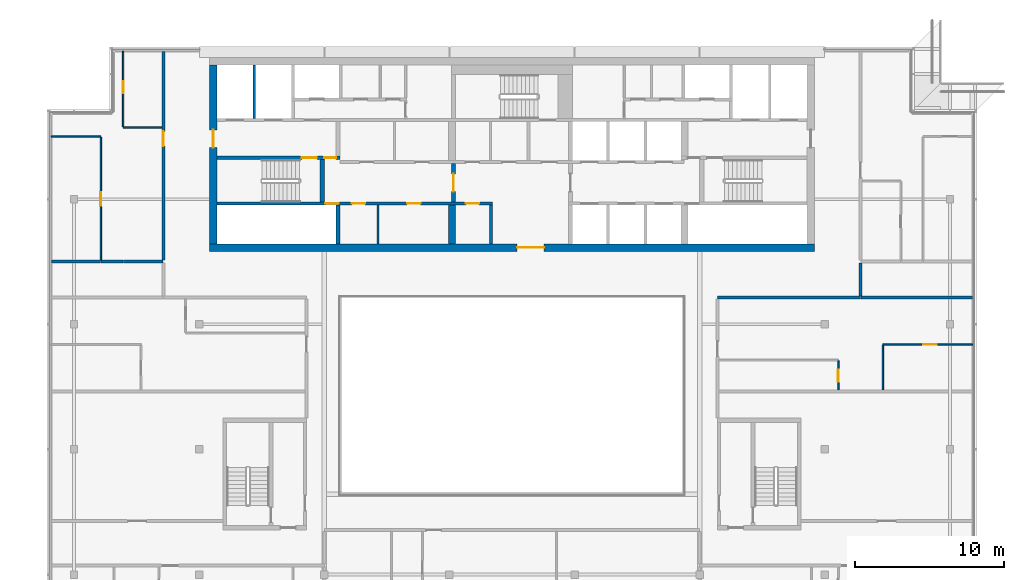
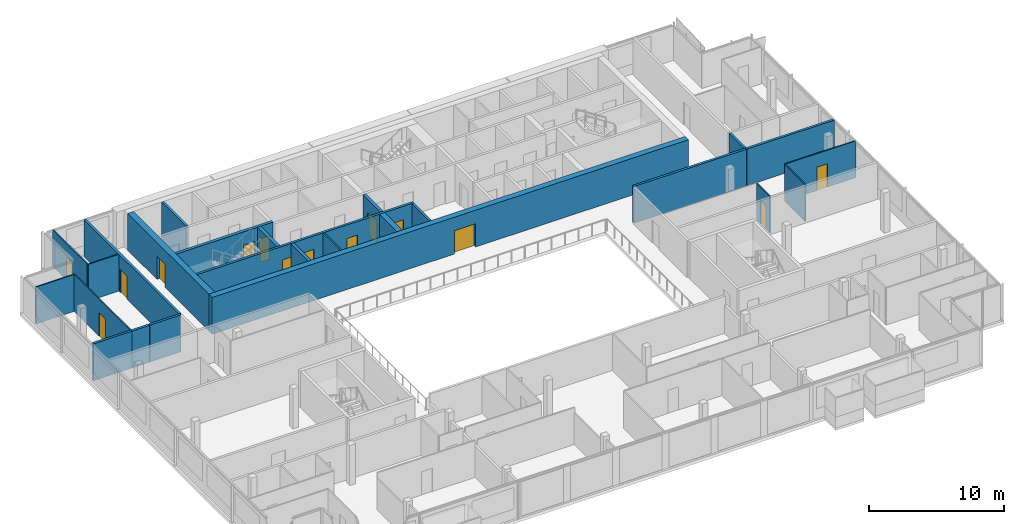
# One storey, part 18 of 24: 25 walls, 14 doors, 14 openings.
"""IFC4 building model written with IfcOpenShell, lengths in metres."""

from ifc_helpers import new_model, si_unit, direction, frame, frame_2d, origin, place, context, subcontext, project, spatial, rectangle, extrude, material, layer, layer_set, type_object, element, fill, save


model = new_model("IFC4")

# Units and contexts
model_context = context("Model", 3, precision=1e-05, world=origin(), true_north=direction((0.0, 1.0)))
body_context = subcontext(model_context, "Body", "Model", "MODEL_VIEW")
ifc_project = project(units=[si_unit("LENGTHUNIT", "METRE"), si_unit("AREAUNIT", "SQUARE_METRE"), si_unit("VOLUMEUNIT", "CUBIC_METRE"), si_unit("PLANEANGLEUNIT", "RADIAN"), si_unit("MASSUNIT", "GRAM", prefix="KILO")], contexts=[model_context])

# Site, building, storey
site_placement = place(None, origin())
site = spatial("IfcSite", under=ifc_project, at=site_placement, CompositionType="ELEMENT")
building_placement = place(site_placement, origin())
building = spatial("IfcBuilding", under=site, at=building_placement, Name="Saffron Gate Tower", CompositionType="ELEMENT")
storey_placement = place(building_placement, frame((0.0, 0.0, 281.550048828125)))
storey = spatial("IfcBuildingStorey", under=building, at=storey_placement, Name="L68", CompositionType="ELEMENT", Elevation=281.550048828125)

# Wall
ifc_material_1 = material(Name="Gypsum board partition on steel studs", Category="steel")
ifc_layer_1 = layer(ifc_material_1, 0.199951171875)
ifc_layer_set_1 = layer_set([ifc_layer_1], Name="CW10 Core partition 200")
wall_type_1 = type_object("IfcWallType", Name="CW10 Core partition 200", PredefinedType="PARTITIONING", material=ifc_layer_set_1)
wall_1_placement = place(storey_placement, frame((86.199951171875, 62.39990234375, 0.0), z_axis=(0.0, 0.0, 1.0), x_axis=(0.0, 1.0, 0.0)))
element("IfcWall", 1, at=wall_1_placement, inside=storey, type_object=wall_type_1, Name="Wall CW10-L68-8", PredefinedType="PARTITIONING", context=body_context, shape_type="SweptSolid", body=[
    extrude(rectangle(XDim=2.60009765625, YDim=0.199951171875, at=frame_2d((1.300048828125, 0.0))), origin(), (0.0, 0.0, 1.0), 3.320068359375),
])

# Wall, opening, door
ifc_material_2 = material(Name="Concrete C50", Category="concrete")
ifc_layer_2 = layer(ifc_material_2, 0.5)
ifc_layer_set_2 = layer_set([ifc_layer_2], Name="CW22 RC core wall 500 C50")
wall_type_2 = type_object("IfcWallType", Name="CW22 RC core wall 500 C50", PredefinedType="SOLIDWALL", material=ifc_layer_set_2)
wall_2_placement = place(storey_placement, frame((67.300048828125, 62.14990234375, 0.0), z_axis=(0.0, 0.0, 1.0), x_axis=(1.0, 0.0, 0.0)))
wall_2 = element("IfcWall", 2, at=wall_2_placement, inside=storey, type_object=wall_type_2, Name="Wall CW22-L68-1", PredefinedType="SOLIDWALL", context=body_context, shape_type="SweptSolid", body=[
    extrude(rectangle(XDim=40.599853515625, YDim=0.5, at=frame_2d((20.2998046875, 0.0))), origin(), (0.0, 0.0, 1.0), 3.320068359375),
])
opening_1_placement = place(wall_2_placement, frame((20.64990234375, 0.0, 0.0)))
opening_1 = element("IfcOpeningElement", 3, at=opening_1_placement, cuts=wall_2, Name="Opening CR-09", PredefinedType="OPENING", context=body_context, shape_type="SweptSolid", body=[
    extrude(rectangle(XDim=1.800048828125, YDim=2.10009765625, at=frame_2d((0.89990234375, 1.050048828125))), frame((0.0, 0.260009765625, 0.0), z_axis=(0.0, -1.0, 0.0), x_axis=(1.0, 0.0, 0.0)), (0.0, 0.0, 1.0), 0.52001953125),
])
ifc_material_3 = material(Name="Steel fire door set", Category="steel")
door_type_1 = type_object("IfcDoorType", Name="CD1 Core entrance door 1800x2100 EI 120", OperationType="NOTDEFINED", PredefinedType="DOOR", material=ifc_material_3)
door_1_placement = place(opening_1_placement, origin())
door_1 = element("IfcDoor", 4, at=door_1_placement, inside=storey, type_object=door_type_1, Name="DOOR CR-09", OperationType="DOUBLE_DOOR_SINGLE_SWING", OverallHeight=2.10009765625, OverallWidth=1.800048828125, PredefinedType="DOOR", context=body_context, shape_type="SweptSolid", body=[
    extrude(rectangle(XDim=1.800048828125, YDim=2.10009765625, at=frame_2d((0.89990234375, 1.050048828125))), frame((0.0, 0.02490234375, 0.0), z_axis=(0.0, -1.0, 0.0), x_axis=(1.0, 0.0, 0.0)), (0.0, 0.0, 1.0), 0.050048828125),
])
fill(opening_1, door_1)

wall_3_placement = place(storey_placement, frame((67.550048828125, 62.39990234375, 0.0), z_axis=(0.0, 0.0, 1.0), x_axis=(0.0, 1.0, 0.0)))
wall_3 = element("IfcWall", 5, at=wall_3_placement, inside=storey, type_object=wall_type_2, Name="Wall CW22-L68-3", PredefinedType="SOLIDWALL", context=body_context, shape_type="SweptSolid", body=[
    extrude(rectangle(XDim=12.0, YDim=0.5, at=frame_2d((6.0, 0.0))), origin(), (0.0, 0.0, 1.0), 3.320068359375),
])
opening_2_placement = place(wall_3_placement, frame((6.449951171875, 0.0, 0.0)))
opening_2 = element("IfcOpeningElement", 6, at=opening_2_placement, cuts=wall_3, Name="Opening CR-10", PredefinedType="OPENING", context=body_context, shape_type="SweptSolid", body=[
    extrude(rectangle(XDim=1.199951171875, YDim=2.10009765625, at=frame_2d((0.60009765625, 1.050048828125))), frame((0.0, 0.260009765625, 0.0), z_axis=(0.0, -1.0, 0.0), x_axis=(1.0, 0.0, 0.0)), (0.0, 0.0, 1.0), 0.52001953125),
])
door_type_2 = type_object("IfcDoorType", Name="CD7 Core entrance door 1200x2100 EI 120", OperationType="NOTDEFINED", PredefinedType="DOOR", material=ifc_material_3)
door_2_placement = place(opening_2_placement, origin())
door_2 = element("IfcDoor", 7, at=door_2_placement, inside=storey, type_object=door_type_2, Name="DOOR CR-10", OperationType="SINGLE_SWING_LEFT", OverallHeight=2.10009765625, OverallWidth=1.199951171875, PredefinedType="DOOR", context=body_context, shape_type="SweptSolid", body=[
    extrude(rectangle(XDim=1.199951171875, YDim=2.10009765625, at=frame_2d((0.60009765625, 1.050048828125))), frame((0.0, 0.02490234375, 0.0), z_axis=(0.0, -1.0, 0.0), x_axis=(1.0, 0.0, 0.0)), (0.0, 0.0, 1.0), 0.050048828125),
])
fill(opening_2, door_2)

# Wall
ifc_layer_3 = layer(ifc_material_2, 0.25)
ifc_layer_set_3 = layer_set([ifc_layer_3], Name="CW23 RC core wall 250 C50")
wall_type_3 = type_object("IfcWallType", Name="CW23 RC core wall 250 C50", PredefinedType="SOLIDWALL", material=ifc_layer_set_3)
wall_4_placement = place(storey_placement, frame((75.925048828125, 62.39990234375, 0.0), z_axis=(0.0, 0.0, 1.0), x_axis=(0.0, 1.0, 0.0)))
element("IfcWall", 8, at=wall_4_placement, inside=storey, type_object=wall_type_3, Name="Wall CW23-L68-5", PredefinedType="SOLIDWALL", context=body_context, shape_type="SweptSolid", body=[
    extrude(rectangle(XDim=2.60009765625, YDim=0.25, at=frame_2d((1.300048828125, 0.0))), origin(), (0.0, 0.0, 1.0), 3.320068359375),
])

# Wall, opening, door
wall_5_placement = place(storey_placement, frame((83.675048828125, 65.199951171875, 0.0), z_axis=(0.0, 0.0, 1.0), x_axis=(0.0, 1.0, 0.0)))
wall_5 = element("IfcWall", 9, at=wall_5_placement, inside=storey, type_object=wall_type_3, Name="Wall CW23-L68-16", PredefinedType="SOLIDWALL", context=body_context, shape_type="SweptSolid", body=[
    extrude(rectangle(XDim=2.60009765625, YDim=0.25, at=frame_2d((1.300048828125, 0.0))), origin(), (0.0, 0.0, 1.0), 3.320068359375),
])
opening_3_placement = place(wall_5_placement, frame((0.699951171875, 0.0, 0.0)))
opening_3 = element("IfcOpeningElement", 10, at=opening_3_placement, cuts=wall_5, Name="Opening CR-07", PredefinedType="OPENING", context=body_context, shape_type="SweptSolid", body=[
    extrude(rectangle(XDim=1.199951171875, YDim=2.10009765625, at=frame_2d((0.60009765625, 1.050048828125))), frame((0.0, 0.135009765625, 0.0), z_axis=(0.0, -1.0, 0.0), x_axis=(1.0, 0.0, 0.0)), (0.0, 0.0, 1.0), 0.27001953125),
])
door_type_3 = type_object("IfcDoorType", Name="CD3 Lobby door 1200x2100 EI 120", OperationType="NOTDEFINED", PredefinedType="DOOR", material=ifc_material_3)
door_3_placement = place(opening_3_placement, origin())
door_3 = element("IfcDoor", 11, at=door_3_placement, inside=storey, type_object=door_type_3, Name="DOOR CR-07", OperationType="SINGLE_SWING_RIGHT", OverallHeight=2.10009765625, OverallWidth=1.199951171875, PredefinedType="DOOR", context=body_context, shape_type="SweptSolid", body=[
    extrude(rectangle(XDim=1.199951171875, YDim=2.10009765625, at=frame_2d((0.60009765625, 1.050048828125))), frame((0.0, 0.02490234375, 0.0), z_axis=(0.0, -1.0, 0.0), x_axis=(1.0, 0.0, 0.0)), (0.0, 0.0, 1.0), 0.050048828125),
])
fill(opening_3, door_3)

# Wall, openings, doors
wall_6_placement = place(storey_placement, frame((67.800048828125, 68.175048828125, 0.0), z_axis=(0.0, 0.0, 1.0), x_axis=(1.0, 0.0, 0.0)))
wall_6 = element("IfcWall", 12, at=wall_6_placement, inside=storey, type_object=wall_type_3, Name="Wall CW23-L68-28", PredefinedType="SOLIDWALL", context=body_context, shape_type="SweptSolid", body=[
    extrude(rectangle(XDim=8.25, YDim=0.25, at=frame_2d((4.125, 0.0))), origin(), (0.0, 0.0, 1.0), 3.320068359375),
])
opening_4_placement = place(wall_6_placement, frame((5.699951171875, 0.0, 0.0)))
opening_4 = element("IfcOpeningElement", 13, at=opening_4_placement, cuts=wall_6, Name="Opening CR-15", PredefinedType="OPENING", context=body_context, shape_type="SweptSolid", body=[
    extrude(rectangle(XDim=1.0, YDim=2.10009765625, at=frame_2d((0.5, 1.050048828125))), frame((0.0, 0.135009765625, 0.0), z_axis=(0.0, -1.0, 0.0), x_axis=(1.0, 0.0, 0.0)), (0.0, 0.0, 1.0), 0.27001953125),
])
opening_5_placement = place(wall_6_placement, frame((7.199951171875, 0.0, 0.0)))
opening_5 = element("IfcOpeningElement", 14, at=opening_5_placement, cuts=wall_6, Name="Opening CR-06", PredefinedType="OPENING", context=body_context, shape_type="SweptSolid", body=[
    extrude(rectangle(XDim=0.800048828125, YDim=2.10009765625, at=frame_2d((0.39990234375, 1.050048828125))), frame((0.0, 0.135009765625, 0.0), z_axis=(0.0, -1.0, 0.0), x_axis=(1.0, 0.0, 0.0)), (0.0, 0.0, 1.0), 0.27001953125),
])
door_type_4 = type_object("IfcDoorType", Name="CD5 Stair door 1000x2100 EI 120", OperationType="NOTDEFINED", PredefinedType="DOOR", material=ifc_material_3)
door_4_placement = place(opening_4_placement, origin())
door_4 = element("IfcDoor", 15, at=door_4_placement, inside=storey, type_object=door_type_4, Name="DOOR CR-15", OperationType="SINGLE_SWING_RIGHT", OverallHeight=2.10009765625, OverallWidth=1.0, PredefinedType="DOOR", context=body_context, shape_type="SweptSolid", body=[
    extrude(rectangle(XDim=1.0, YDim=2.10009765625, at=frame_2d((0.5, 1.050048828125))), frame((0.0, 0.02490234375, 0.0), z_axis=(0.0, -1.0, 0.0), x_axis=(1.0, 0.0, 0.0)), (0.0, 0.0, 1.0), 0.050048828125),
])
fill(opening_4, door_4)
door_type_5 = type_object("IfcDoorType", Name="CD6 Lobby door 800x2100 EI 120", OperationType="NOTDEFINED", PredefinedType="DOOR", material=ifc_material_3)
door_5_placement = place(opening_5_placement, origin())
door_5 = element("IfcDoor", 16, at=door_5_placement, inside=storey, type_object=door_type_5, Name="DOOR CR-06", OperationType="SINGLE_SWING_LEFT", OverallHeight=2.10009765625, OverallWidth=0.800048828125, PredefinedType="DOOR", context=body_context, shape_type="SweptSolid", body=[
    extrude(rectangle(XDim=0.800048828125, YDim=2.10009765625, at=frame_2d((0.39990234375, 1.050048828125))), frame((0.0, 0.02490234375, 0.0), z_axis=(0.0, -1.0, 0.0), x_axis=(1.0, 0.0, 0.0)), (0.0, 0.0, 1.0), 0.050048828125),
])
fill(opening_5, door_5)

# Wall
ifc_layer_4 = layer(ifc_material_2, 0.449951171875)
ifc_layer_set_4 = layer_set([ifc_layer_4], Name="CW24 RC core wall 450 C50")
wall_type_4 = type_object("IfcWallType", Name="CW24 RC core wall 450 C50", PredefinedType="SOLIDWALL", material=ifc_layer_set_4)
wall_7_placement = place(storey_placement, frame((83.574951171875, 62.39990234375, 0.0), z_axis=(0.0, 0.0, 1.0), x_axis=(0.0, 1.0, 0.0)))
element("IfcWall", 17, at=wall_7_placement, inside=storey, type_object=wall_type_4, Name="Wall CW24-L68-7", PredefinedType="SOLIDWALL", context=body_context, shape_type="SweptSolid", body=[
    extrude(rectangle(XDim=2.60009765625, YDim=0.449951171875, at=frame_2d((1.300048828125, 0.0))), origin(), (0.0, 0.0, 1.0), 3.320068359375),
])

# Wall, openings, doors
ifc_layer_5 = layer(ifc_material_2, 0.199951171875)
ifc_layer_set_5 = layer_set([ifc_layer_5], Name="CW25 RC core wall 200 C50")
wall_type_5 = type_object("IfcWallType", Name="CW25 RC core wall 200 C50", PredefinedType="SOLIDWALL", material=ifc_layer_set_5)
wall_8_placement = place(storey_placement, frame((67.800048828125, 65.10009765625, 0.0), z_axis=(0.0, 0.0, 1.0), x_axis=(1.0, 0.0, 0.0)))
wall_8 = element("IfcWall", 18, at=wall_8_placement, inside=storey, type_object=wall_type_5, Name="Wall CW25-L68-13", PredefinedType="SOLIDWALL", context=body_context, shape_type="SweptSolid", body=[
    extrude(rectangle(XDim=18.5, YDim=0.199951171875, at=frame_2d((9.25, 0.0))), origin(), (0.0, 0.0, 1.0), 3.320068359375),
])
opening_6_placement = place(wall_8_placement, frame((7.27001953125, 0.0, 0.0)))
opening_6 = element("IfcOpeningElement", 19, at=opening_6_placement, cuts=wall_8, Name="Opening CR-49", PredefinedType="OPENING", context=body_context, shape_type="SweptSolid", body=[
    extrude(rectangle(XDim=0.89990234375, YDim=2.10009765625, at=frame_2d((0.449951171875, 1.050048828125))), frame((0.0, 0.10986328125, 0.0), z_axis=(0.0, -1.0, 0.0), x_axis=(1.0, 0.0, 0.0)), (0.0, 0.0, 1.0), 0.219970703125),
])
opening_7_placement = place(wall_8_placement, frame((9.050048828125, 0.0, 0.0)))
opening_7 = element("IfcOpeningElement", 20, at=opening_7_placement, cuts=wall_8, Name="Opening CR-64", PredefinedType="OPENING", context=body_context, shape_type="SweptSolid", body=[
    extrude(rectangle(XDim=0.89990234375, YDim=2.10009765625, at=frame_2d((0.449951171875, 1.050048828125))), frame((0.0, 0.10986328125, 0.0), z_axis=(0.0, -1.0, 0.0), x_axis=(1.0, 0.0, 0.0)), (0.0, 0.0, 1.0), 0.219970703125),
])
opening_8_placement = place(wall_8_placement, frame((12.760009765625, 0.0, 0.0)))
opening_8 = element("IfcOpeningElement", 21, at=opening_8_placement, cuts=wall_8, Name="Opening CR-65", PredefinedType="OPENING", context=body_context, shape_type="SweptSolid", body=[
    extrude(rectangle(XDim=0.89990234375, YDim=2.10009765625, at=frame_2d((0.449951171875, 1.050048828125))), frame((0.0, 0.10986328125, 0.0), z_axis=(0.0, -1.0, 0.0), x_axis=(1.0, 0.0, 0.0)), (0.0, 0.0, 1.0), 0.219970703125),
])
opening_9_placement = place(wall_8_placement, frame((16.699951171875, 0.0, 0.0)))
opening_9 = element("IfcOpeningElement", 22, at=opening_9_placement, cuts=wall_8, Name="Opening CR-69", PredefinedType="OPENING", context=body_context, shape_type="SweptSolid", body=[
    extrude(rectangle(XDim=0.89990234375, YDim=2.10009765625, at=frame_2d((0.449951171875, 1.050048828125))), frame((0.0, 0.10986328125, 0.0), z_axis=(0.0, -1.0, 0.0), x_axis=(1.0, 0.0, 0.0)), (0.0, 0.0, 1.0), 0.219970703125),
])
door_type_6 = type_object("IfcDoorType", Name="CD2 Riser door 900x2100 EI 60", OperationType="NOTDEFINED", PredefinedType="DOOR", material=ifc_material_3)
door_6_placement = place(opening_6_placement, origin())
door_6 = element("IfcDoor", 23, at=door_6_placement, inside=storey, type_object=door_type_6, Name="DOOR CR-49", OperationType="SINGLE_SWING_LEFT", OverallHeight=2.10009765625, OverallWidth=0.89990234375, PredefinedType="DOOR", context=body_context, shape_type="SweptSolid", body=[
    extrude(rectangle(XDim=0.89990234375, YDim=2.10009765625, at=frame_2d((0.449951171875, 1.050048828125))), frame((0.0, 0.02490234375, 0.0), z_axis=(0.0, -1.0, 0.0), x_axis=(1.0, 0.0, 0.0)), (0.0, 0.0, 1.0), 0.050048828125),
])
fill(opening_6, door_6)
door_type_7 = type_object("IfcDoorType", Name="CD9 Room door 900x2100 EI 60", OperationType="NOTDEFINED", PredefinedType="DOOR", material=ifc_material_3)
door_7_placement = place(opening_7_placement, origin())
door_7 = element("IfcDoor", 24, at=door_7_placement, inside=storey, type_object=door_type_7, Name="DOOR CR-64", OperationType="SINGLE_SWING_RIGHT", OverallHeight=2.10009765625, OverallWidth=0.89990234375, PredefinedType="DOOR", context=body_context, shape_type="SweptSolid", body=[
    extrude(rectangle(XDim=0.89990234375, YDim=2.10009765625, at=frame_2d((0.449951171875, 1.050048828125))), frame((0.0, 0.02490234375, 0.0), z_axis=(0.0, -1.0, 0.0), x_axis=(1.0, 0.0, 0.0)), (0.0, 0.0, 1.0), 0.050048828125),
])
fill(opening_7, door_7)
door_8_placement = place(opening_8_placement, origin())
door_8 = element("IfcDoor", 25, at=door_8_placement, inside=storey, type_object=door_type_7, Name="DOOR CR-65", OperationType="SINGLE_SWING_RIGHT", OverallHeight=2.10009765625, OverallWidth=0.89990234375, PredefinedType="DOOR", context=body_context, shape_type="SweptSolid", body=[
    extrude(rectangle(XDim=0.89990234375, YDim=2.10009765625, at=frame_2d((0.449951171875, 1.050048828125))), frame((0.0, 0.02490234375, 0.0), z_axis=(0.0, -1.0, 0.0), x_axis=(1.0, 0.0, 0.0)), (0.0, 0.0, 1.0), 0.050048828125),
])
fill(opening_8, door_8)
door_9_placement = place(opening_9_placement, origin())
door_9 = element("IfcDoor", 26, at=door_9_placement, inside=storey, type_object=door_type_7, Name="DOOR CR-69", OperationType="SINGLE_SWING_RIGHT", OverallHeight=2.10009765625, OverallWidth=0.89990234375, PredefinedType="DOOR", context=body_context, shape_type="SweptSolid", body=[
    extrude(rectangle(XDim=0.89990234375, YDim=2.10009765625, at=frame_2d((0.449951171875, 1.050048828125))), frame((0.0, 0.02490234375, 0.0), z_axis=(0.0, -1.0, 0.0), x_axis=(1.0, 0.0, 0.0)), (0.0, 0.0, 1.0), 0.050048828125),
])
fill(opening_9, door_9)

# Walls
wall_9_placement = place(storey_placement, frame((70.300048828125, 70.800048828125, 0.0), z_axis=(0.0, 0.0, 1.0), x_axis=(0.0, 1.0, 0.0)))
element("IfcWall", 27, at=wall_9_placement, inside=storey, type_object=wall_type_5, Name="Wall CW25-L68-33", PredefinedType="SOLIDWALL", context=body_context, shape_type="SweptSolid", body=[
    extrude(rectangle(XDim=3.599853515625, YDim=0.199951171875, at=frame_2d((1.7998046875, 0.0))), origin(), (0.0, 0.0, 1.0), 3.320068359375),
])
ifc_layer_6 = layer(ifc_material_2, 0.300048828125)
ifc_layer_set_6 = layer_set([ifc_layer_6], Name="CW26 RC core wall 300 C50")
wall_type_6 = type_object("IfcWallType", Name="CW26 RC core wall 300 C50", PredefinedType="SOLIDWALL", material=ifc_layer_set_6)
wall_10_placement = place(storey_placement, frame((74.85009765625, 65.199951171875, 0.0), z_axis=(0.0, 0.0, 1.0), x_axis=(0.0, 1.0, 0.0)))
element("IfcWall", 28, at=wall_10_placement, inside=storey, type_object=wall_type_6, Name="Wall CW26-L68-15", PredefinedType="SOLIDWALL", context=body_context, shape_type="SweptSolid", body=[
    extrude(rectangle(XDim=2.85009765625, YDim=0.300048828125, at=frame_2d((1.425048828125, 0.0))), origin(), (0.0, 0.0, 1.0), 3.320068359375),
])
ifc_layer_7 = layer(ifc_material_1, 0.1201171875)
ifc_layer_set_7 = layer_set([ifc_layer_7], Name="CW8 Core partition 120")
wall_type_7 = type_object("IfcWallType", Name="CW8 Core partition 120", PredefinedType="PARTITIONING", material=ifc_layer_set_7)
wall_11_placement = place(storey_placement, frame((78.610107421875, 62.39990234375, 0.0), z_axis=(0.0, 0.0, 1.0), x_axis=(0.0, 1.0, 0.0)))
element("IfcWall", 29, at=wall_11_placement, inside=storey, type_object=wall_type_7, Name="Wall CW8-L68-6", PredefinedType="PARTITIONING", context=body_context, shape_type="SweptSolid", body=[
    extrude(rectangle(XDim=2.60009765625, YDim=0.1201171875, at=frame_2d((1.300048828125, 0.0))), origin(), (0.0, 0.0, 1.0), 3.320068359375),
])

# Wall, opening, door
ifc_material_4 = material(Name="Plasterboard on steel studs", Category="steel")
ifc_layer_8 = layer(ifc_material_4, 0.10009765625)
ifc_layer_set_8 = layer_set([ifc_layer_8], Name="PW1 Partition 100")
wall_type_8 = type_object("IfcWallType", Name="PW1 Partition 100", PredefinedType="PARTITIONING", material=ifc_layer_set_8)
wall_12_placement = place(storey_placement, frame((118.52001953125, 55.64990234375, 0.0), z_axis=(0.0, 0.0, 1.0), x_axis=(-1.0, 0.0, 0.0)))
wall_12 = element("IfcWall", 30, at=wall_12_placement, inside=storey, type_object=wall_type_8, Name="Partition E3-16", PredefinedType="PARTITIONING", context=body_context, shape_type="SweptSolid", body=[
    extrude(rectangle(XDim=6.02001953125, YDim=0.10009765625, at=frame_2d((3.010009765625, 0.0))), origin(), (0.0, 0.0, 1.0), 3.320068359375),
])
opening_10_placement = place(wall_12_placement, frame((2.419921875, 0.0, 0.0)))
opening_10 = element("IfcOpeningElement", 31, at=opening_10_placement, cuts=wall_12, Name="Opening E3-20", PredefinedType="OPENING", context=body_context, shape_type="SweptSolid", body=[
    extrude(rectangle(XDim=0.89990234375, YDim=2.10009765625, at=frame_2d((0.449951171875, 1.050048828125))), frame((0.0, 0.06005859375, 0.0), z_axis=(0.0, -1.0, 0.0), x_axis=(1.0, 0.0, 0.0)), (0.0, 0.0, 1.0), 0.1201171875),
])
ifc_material_5 = material(Name="Timber door set", Category="wood")
door_type_8 = type_object("IfcDoorType", Name="RD1 Room door 900x2100", OperationType="NOTDEFINED", PredefinedType="DOOR", material=ifc_material_5)
door_10_placement = place(opening_10_placement, origin())
door_10 = element("IfcDoor", 32, at=door_10_placement, inside=storey, type_object=door_type_8, Name="Door E3-20", OperationType="SINGLE_SWING_LEFT", OverallHeight=2.10009765625, OverallWidth=0.89990234375, PredefinedType="DOOR", context=body_context, shape_type="SweptSolid", body=[
    extrude(rectangle(XDim=0.89990234375, YDim=2.10009765625, at=frame_2d((0.449951171875, 1.050048828125))), frame((0.0, 0.02490234375, 0.0), z_axis=(0.0, -1.0, 0.0), x_axis=(1.0, 0.0, 0.0)), (0.0, 0.0, 1.0), 0.050048828125),
])
fill(opening_10, door_10)

# Walls
wall_13_placement = place(storey_placement, frame((56.679931640625, 69.60009765625, 0.0), z_axis=(0.0, 0.0, 1.0), x_axis=(1.0, 0.0, 0.0)))
element("IfcWall", 33, at=wall_13_placement, inside=storey, type_object=wall_type_8, Name="Partition E3-29", PredefinedType="PARTITIONING", context=body_context, shape_type="SweptSolid", body=[
    extrude(rectangle(XDim=3.320068359375, YDim=0.10009765625, at=frame_2d((1.66015625, 0.0))), origin(), (0.0, 0.0, 1.0), 3.320068359375),
])
wall_14_placement = place(storey_placement, frame((61.5, 70.199951171875, 0.0), z_axis=(0.0, 0.0, 1.0), x_axis=(1.0, 0.0, 0.0)))
element("IfcWall", 34, at=wall_14_placement, inside=storey, type_object=wall_type_8, Name="Partition E3-31", PredefinedType="PARTITIONING", context=body_context, shape_type="SweptSolid", body=[
    extrude(rectangle(XDim=2.60009765625, YDim=0.10009765625, at=frame_2d((1.300048828125, 0.0))), origin(), (0.0, 0.0, 1.0), 3.320068359375),
])

# Wall, opening, door
wall_15_placement = place(storey_placement, frame((60.0, 61.300048828125, 0.0), z_axis=(0.0, 0.0, 1.0), x_axis=(0.0, 1.0, 0.0)))
wall_15 = element("IfcWall", 35, at=wall_15_placement, inside=storey, type_object=wall_type_8, Name="Partition E3-32", PredefinedType="PARTITIONING", context=body_context, shape_type="SweptSolid", body=[
    extrude(rectangle(XDim=8.25, YDim=0.10009765625, at=frame_2d((4.125, 0.0))), origin(), (0.0, 0.0, 1.0), 3.320068359375),
])
opening_11_placement = place(wall_15_placement, frame((3.64990234375, 0.0, 0.0)))
opening_11 = element("IfcOpeningElement", 36, at=opening_11_placement, cuts=wall_15, Name="Opening E3-19", PredefinedType="OPENING", context=body_context, shape_type="SweptSolid", body=[
    extrude(rectangle(XDim=0.89990234375, YDim=2.10009765625, at=frame_2d((0.449951171875, 1.050048828125))), frame((0.0, 0.06005859375, 0.0), z_axis=(0.0, -1.0, 0.0), x_axis=(1.0, 0.0, 0.0)), (0.0, 0.0, 1.0), 0.1201171875),
])
door_11_placement = place(opening_11_placement, origin())
door_11 = element("IfcDoor", 37, at=door_11_placement, inside=storey, type_object=door_type_8, Name="Door E3-19", OperationType="SINGLE_SWING_LEFT", OverallHeight=2.10009765625, OverallWidth=0.89990234375, PredefinedType="DOOR", context=body_context, shape_type="SweptSolid", body=[
    extrude(rectangle(XDim=0.89990234375, YDim=2.10009765625, at=frame_2d((0.449951171875, 1.050048828125))), frame((0.0, 0.02490234375, 0.0), z_axis=(0.0, -1.0, 0.0), x_axis=(1.0, 0.0, 0.0)), (0.0, 0.0, 1.0), 0.050048828125),
])
fill(opening_11, door_11)

wall_16_placement = place(storey_placement, frame((61.5, 75.320068359375, 0.0), z_axis=(0.0, 0.0, 1.0), x_axis=(0.0, -1.0, 0.0)))
wall_16 = element("IfcWall", 38, at=wall_16_placement, inside=storey, type_object=wall_type_8, Name="Partition E3-34", PredefinedType="PARTITIONING", context=body_context, shape_type="SweptSolid", body=[
    extrude(rectangle(XDim=5.070068359375, YDim=0.10009765625, at=frame_2d((2.53515625, 0.0))), origin(), (0.0, 0.0, 1.0), 3.320068359375),
])
opening_12_placement = place(wall_16_placement, frame((2.02001953125, 0.0, 0.0)))
opening_12 = element("IfcOpeningElement", 39, at=opening_12_placement, cuts=wall_16, Name="Opening E3-29", PredefinedType="OPENING", context=body_context, shape_type="SweptSolid", body=[
    extrude(rectangle(XDim=0.800048828125, YDim=2.10009765625, at=frame_2d((0.39990234375, 1.050048828125))), frame((0.0, 0.06005859375, 0.0), z_axis=(0.0, -1.0, 0.0), x_axis=(1.0, 0.0, 0.0)), (0.0, 0.0, 1.0), 0.1201171875),
])
door_type_9 = type_object("IfcDoorType", Name="RD2 Bathroom door 800x2100", OperationType="NOTDEFINED", PredefinedType="DOOR", material=ifc_material_5)
door_12_placement = place(opening_12_placement, origin())
door_12 = element("IfcDoor", 40, at=door_12_placement, inside=storey, type_object=door_type_9, Name="Door E3-29", OperationType="SINGLE_SWING_LEFT", OverallHeight=2.10009765625, OverallWidth=0.800048828125, PredefinedType="DOOR", context=body_context, shape_type="SweptSolid", body=[
    extrude(rectangle(XDim=0.800048828125, YDim=2.10009765625, at=frame_2d((0.39990234375, 1.050048828125))), frame((0.0, 0.02490234375, 0.0), z_axis=(0.0, -1.0, 0.0), x_axis=(1.0, 0.0, 0.0)), (0.0, 0.0, 1.0), 0.050048828125),
])
fill(opening_12, door_12)

wall_17_placement = place(storey_placement, frame((109.5, 52.60009765625, 0.0), z_axis=(0.0, 0.0, 1.0), x_axis=(0.0, 1.0, 0.0)))
wall_17 = element("IfcWall", 41, at=wall_17_placement, inside=storey, type_object=wall_type_8, Name="Partition E3-65", PredefinedType="PARTITIONING", context=body_context, shape_type="SweptSolid", body=[
    extrude(rectangle(XDim=1.949951171875, YDim=0.10009765625, at=frame_2d((0.97509765625, 0.0))), origin(), (0.0, 0.0, 1.0), 3.320068359375),
])
opening_13_placement = place(wall_17_placement, frame((0.550048828125, 0.0, 0.0)))
opening_13 = element("IfcOpeningElement", 42, at=opening_13_placement, cuts=wall_17, Name="Opening E3-30", PredefinedType="OPENING", context=body_context, shape_type="SweptSolid", body=[
    extrude(rectangle(XDim=0.800048828125, YDim=2.10009765625, at=frame_2d((0.39990234375, 1.050048828125))), frame((0.0, 0.06005859375, 0.0), z_axis=(0.0, -1.0, 0.0), x_axis=(1.0, 0.0, 0.0)), (0.0, 0.0, 1.0), 0.1201171875),
])
door_13_placement = place(opening_13_placement, origin())
door_13 = element("IfcDoor", 43, at=door_13_placement, inside=storey, type_object=door_type_9, Name="Door E3-30", OperationType="SINGLE_SWING_LEFT", OverallHeight=2.10009765625, OverallWidth=0.800048828125, PredefinedType="DOOR", context=body_context, shape_type="SweptSolid", body=[
    extrude(rectangle(XDim=0.800048828125, YDim=2.10009765625, at=frame_2d((0.39990234375, 1.050048828125))), frame((0.0, 0.02490234375, 0.0), z_axis=(0.0, -1.0, 0.0), x_axis=(1.0, 0.0, 0.0)), (0.0, 0.0, 1.0), 0.050048828125),
])
fill(opening_13, door_13)

# Walls
wall_18_placement = place(storey_placement, frame((112.5, 55.60009765625, 0.0), z_axis=(0.0, 0.0, 1.0), x_axis=(0.0, -1.0, 0.0)))
element("IfcWall", 44, at=wall_18_placement, inside=storey, type_object=wall_type_8, Name="Partition E3-69", PredefinedType="PARTITIONING", context=body_context, shape_type="SweptSolid", body=[
    extrude(rectangle(XDim=3.0, YDim=0.10009765625, at=frame_2d((1.5, 0.0))), origin(), (0.0, 0.0, 1.0), 3.320068359375),
])
ifc_material_6 = material(Name="Clay brick masonry, rendered", Category="masonry")
ifc_layer_9 = layer(ifc_material_6, 0.199951171875)
ifc_layer_set_9 = layer_set([ifc_layer_9], Name="PW3 Corridor wall 200")
wall_type_9 = type_object("IfcWallType", Name="PW3 Corridor wall 200", PredefinedType="PARTITIONING", material=ifc_layer_set_9)
wall_19_placement = place(storey_placement, frame((101.39990234375, 58.800048828125, 0.0), z_axis=(0.0, 0.0, 1.0), x_axis=(1.0, 0.0, 0.0)))
element("IfcWall", 45, at=wall_19_placement, inside=storey, type_object=wall_type_9, Name="Wall E3-19", PredefinedType="PARTITIONING", context=body_context, shape_type="SweptSolid", body=[
    extrude(rectangle(XDim=9.60009765625, YDim=0.199951171875, at=frame_2d((4.800048828125, 0.0))), origin(), (0.0, 0.0, 1.0), 3.320068359375),
])

# Wall, opening, door
wall_20_placement = place(storey_placement, frame((64.199951171875, 61.300048828125, 0.0), z_axis=(0.0, 0.0, 1.0), x_axis=(0.0, 1.0, 0.0)))
wall_20 = element("IfcWall", 46, at=wall_20_placement, inside=storey, type_object=wall_type_9, Name="Wall E3-38", PredefinedType="PARTITIONING", context=body_context, shape_type="SweptSolid", body=[
    extrude(rectangle(XDim=14.02001953125, YDim=0.199951171875, at=frame_2d((7.010009765625, 0.0))), origin(), (0.0, 0.0, 1.0), 3.320068359375),
])
opening_14_placement = place(wall_20_placement, frame((7.64990234375, 0.0, 0.0)))
opening_14 = element("IfcOpeningElement", 47, at=opening_14_placement, cuts=wall_20, Name="Opening E3-5", PredefinedType="OPENING", context=body_context, shape_type="SweptSolid", body=[
    extrude(rectangle(XDim=1.0, YDim=2.10009765625, at=frame_2d((0.5, 1.050048828125))), frame((0.0, 0.10986328125, 0.0), z_axis=(0.0, -1.0, 0.0), x_axis=(1.0, 0.0, 0.0)), (0.0, 0.0, 1.0), 0.219970703125),
])
ifc_material_7 = material(Name="Timber fire door set", Category="wood")
door_type_10 = type_object("IfcDoorType", Name="FD1 Flat entry door 1000x2100", OperationType="NOTDEFINED", PredefinedType="DOOR", material=ifc_material_7)
door_14_placement = place(opening_14_placement, origin())
door_14 = element("IfcDoor", 48, at=door_14_placement, inside=storey, type_object=door_type_10, Name="Door E3-5", OperationType="SINGLE_SWING_LEFT", OverallHeight=2.10009765625, OverallWidth=1.0, PredefinedType="DOOR", context=body_context, shape_type="SweptSolid", body=[
    extrude(rectangle(XDim=1.0, YDim=2.10009765625, at=frame_2d((0.5, 1.050048828125))), frame((0.0, 0.02490234375, 0.0), z_axis=(0.0, -1.0, 0.0), x_axis=(1.0, 0.0, 0.0)), (0.0, 0.0, 1.0), 0.050048828125),
])
fill(opening_14, door_14)

# Walls
ifc_layer_10 = layer(ifc_material_6, 0.199951171875)
ifc_layer_set_10 = layer_set([ifc_layer_10], Name="PW5 Room wall 200")
wall_type_10 = type_object("IfcWallType", Name="PW5 Room wall 200", PredefinedType="PARTITIONING", material=ifc_layer_set_10)
wall_21_placement = place(storey_placement, frame((111.02001953125, 58.800048828125, 0.0), z_axis=(0.0, 0.0, 1.0), x_axis=(1.0, 0.0, 0.0)))
element("IfcWall", 49, at=wall_21_placement, inside=storey, type_object=wall_type_10, Name="Wall E3-21", PredefinedType="PARTITIONING", context=body_context, shape_type="SweptSolid", body=[
    extrude(rectangle(XDim=7.47998046875, YDim=0.199951171875, at=frame_2d((3.739990234375, 0.0))), origin(), (0.0, 0.0, 1.0), 3.320068359375),
])
wall_22_placement = place(storey_placement, frame((56.699951171875, 61.199951171875, 0.0), z_axis=(0.0, 0.0, 1.0), x_axis=(1.0, 0.0, 0.0)))
element("IfcWall", 50, at=wall_22_placement, inside=storey, type_object=wall_type_10, Name="Wall E3-22", PredefinedType="PARTITIONING", context=body_context, shape_type="SweptSolid", body=[
    extrude(rectangle(XDim=3.280029296875, YDim=0.199951171875, at=frame_2d((1.64013671875, 0.0))), origin(), (0.0, 0.0, 1.0), 3.320068359375),
])
wall_23_placement = place(storey_placement, frame((60.02001953125, 61.199951171875, 0.0), z_axis=(0.0, 0.0, 1.0), x_axis=(1.0, 0.0, 0.0)))
element("IfcWall", 51, at=wall_23_placement, inside=storey, type_object=wall_type_10, Name="Wall E3-23", PredefinedType="PARTITIONING", context=body_context, shape_type="SweptSolid", body=[
    extrude(rectangle(XDim=1.4599609375, YDim=0.199951171875, at=frame_2d((0.72998046875, 0.0))), origin(), (0.0, 0.0, 1.0), 3.320068359375),
])
wall_24_placement = place(storey_placement, frame((61.52001953125, 61.199951171875, 0.0), z_axis=(0.0, 0.0, 1.0), x_axis=(1.0, 0.0, 0.0)))
element("IfcWall", 52, at=wall_24_placement, inside=storey, type_object=wall_type_10, Name="Wall E3-24", PredefinedType="PARTITIONING", context=body_context, shape_type="SweptSolid", body=[
    extrude(rectangle(XDim=2.659912109375, YDim=0.199951171875, at=frame_2d((1.330078125, 0.0))), origin(), (0.0, 0.0, 1.0), 3.320068359375),
])
wall_25_placement = place(storey_placement, frame((111.0, 61.10009765625, 0.0), z_axis=(0.0, 0.0, 1.0), x_axis=(0.0, -1.0, 0.0)))
element("IfcWall", 53, at=wall_25_placement, inside=storey, type_object=wall_type_10, Name="Wall E3-67", PredefinedType="PARTITIONING", context=body_context, shape_type="SweptSolid", body=[
    extrude(rectangle(XDim=2.2001953125, YDim=0.199951171875, at=frame_2d((1.10009765625, 0.0))), origin(), (0.0, 0.0, 1.0), 3.320068359375),
])

save(model, "model.ifc")
